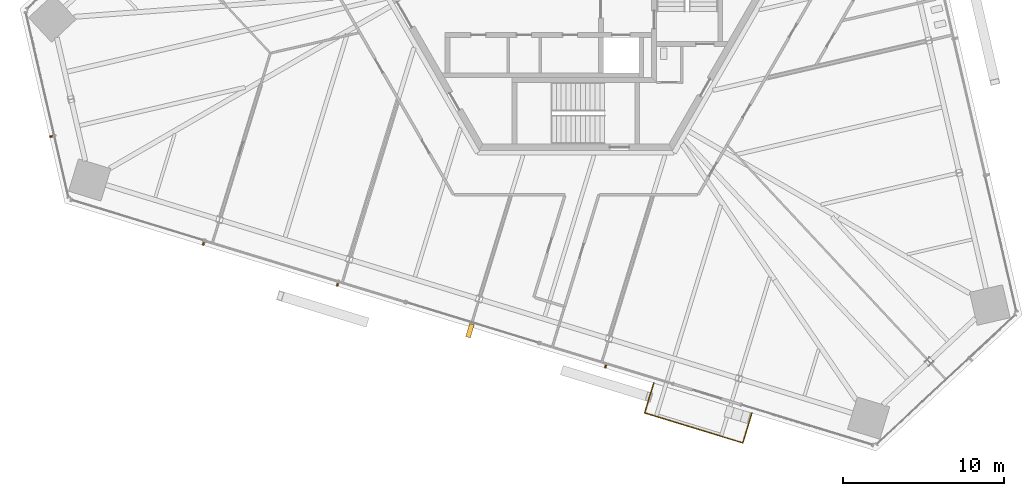
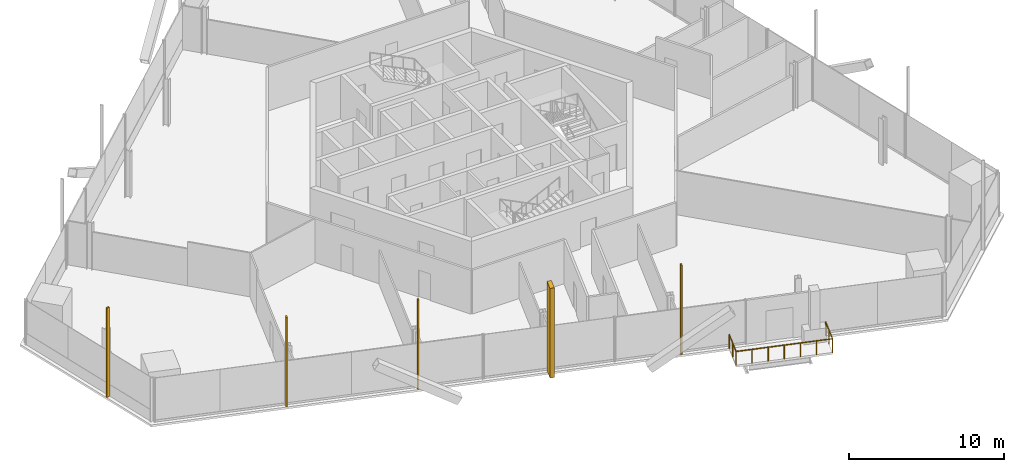
# One storey, part 15 of 21: 5 shading devices, 1 railing.
"""IFC4 building model written with IfcOpenShell, lengths in metres."""

from ifc_helpers import new_model, si_unit, direction, frame, origin, origin_2d, place, context, subcontext, project, spatial, rectangle, circle, extrude, source, transform, mapped, material, type_object, element, save


model = new_model("IFC4")

# Units and contexts
model_context = context("Model", 3, precision=1e-05, world=origin(), true_north=direction((0.0, 1.0)))
body_context = subcontext(model_context, "Body", "Model", "MODEL_VIEW")
ifc_project = project(units=[si_unit("LENGTHUNIT", "METRE"), si_unit("AREAUNIT", "SQUARE_METRE"), si_unit("VOLUMEUNIT", "CUBIC_METRE"), si_unit("PLANEANGLEUNIT", "RADIAN"), si_unit("MASSUNIT", "GRAM", prefix="KILO")], contexts=[model_context])

# Site, building, storey
site_placement = place(None, origin())
site = spatial("IfcSite", under=ifc_project, at=site_placement, CompositionType="ELEMENT")
building_placement = place(site_placement, origin())
building = spatial("IfcBuilding", under=site, at=building_placement, Name="Triune Harvest Tower", CompositionType="ELEMENT")
storey_placement = place(building_placement, frame((0.0, 0.0, 119.89990234375)))
storey = spatial("IfcBuildingStorey", under=building, at=storey_placement, Name="L30", CompositionType="ELEMENT", Elevation=119.89990234375)

# Railing
ifc_material_1 = material(Name="Glass", Category="glass")
railing_type = type_object("IfcRailingType", Name="GD-2 balcony guard 1100", PredefinedType="GUARDRAIL", material=ifc_material_1)
railing_placement = place(storey_placement, frame((4.825927734375, -24.819580078125, 0.0)))
element("IfcRailing", 1, at=railing_placement, inside=storey, type_object=railing_type, Name="Balcony guard B3-F5 L30.10", PredefinedType="GUARDRAIL", context=body_context, shape_type="SweptSolid", body=[
    extrude(circle(Radius=0.02392578125, at=origin_2d()), frame((0.0, 0.0, 1.076171875), z_axis=(-0.292388744289, -0.956299546279, 0.0), x_axis=(0.956299546279, -0.292388744289, 0.0)), (0.0, 0.0, 1.0), 1.931396484375),
    extrude(circle(Radius=0.02392578125, at=origin_2d()), frame((-0.564697265625, -1.846923828125, 1.076171875), z_axis=(0.956302429715, -0.292379313429, 0.0), x_axis=(0.292379313429, 0.956302429715, 0.0)), (0.0, 0.0, 1.0), 6.365234375),
    extrude(circle(Radius=0.02392578125, at=origin_2d()), frame((5.5224609375, -3.7080078125, 1.076171875), z_axis=(0.292273133865, 0.956334886544, 0.0), x_axis=(-0.956334886544, 0.292273133865, 0.0)), (0.0, 0.0, 1.0), 1.93115234375),
    extrude(circle(Radius=0.02099609375, at=origin_2d()), origin(), (0.0, 0.0, 1.0), 1.052001953125),
    extrude(circle(Radius=0.02099609375, at=origin_2d()), frame((-0.2822265625, -0.92333984375, 0.0)), (0.0, 0.0, 1.0), 1.052001953125),
    extrude(circle(Radius=0.02099609375, at=origin_2d()), frame((-0.564697265625, -1.846923828125, 0.0)), (0.0, 0.0, 1.0), 1.052001953125),
    extrude(circle(Radius=0.02099609375, at=origin_2d()), frame((0.44970703125, -2.1572265625, 0.0)), (0.0, 0.0, 1.0), 1.052001953125),
    extrude(circle(Radius=0.02099609375, at=origin_2d()), frame((1.46435546875, -2.46728515625, 0.0)), (0.0, 0.0, 1.0), 1.052001953125),
    extrude(circle(Radius=0.02099609375, at=origin_2d()), frame((2.47900390625, -2.77734375, 0.0)), (0.0, 0.0, 1.0), 1.052001953125),
    extrude(circle(Radius=0.02099609375, at=origin_2d()), frame((3.493408203125, -3.087646484375, 0.0)), (0.0, 0.0, 1.0), 1.052001953125),
    extrude(circle(Radius=0.02099609375, at=origin_2d()), frame((4.5078125, -3.39794921875, 0.0)), (0.0, 0.0, 1.0), 1.052001953125),
    extrude(circle(Radius=0.02099609375, at=origin_2d()), frame((5.5224609375, -3.7080078125, 0.0)), (0.0, 0.0, 1.0), 1.052001953125),
    extrude(circle(Radius=0.02099609375, at=origin_2d()), frame((5.8046875, -2.78466796875, 0.0)), (0.0, 0.0, 1.0), 1.052001953125),
    extrude(circle(Radius=0.02099609375, at=origin_2d()), frame((6.0869140625, -1.861083984375, 0.0)), (0.0, 0.0, 1.0), 1.052001953125),
])

# Shading devices
ifc_material_2 = material(Name="Aluminium bronze anodised", Category="aluminium")
shared_shape_1 = source(origin(), body_context, "Body", "SweptSolid", [
    extrude(rectangle(XDim=0.10009765625, YDim=0.199951171875, at=origin_2d()), origin(), (0.0, 0.0, 1.0), 7.0400390625),
])
for number, where, z_axis, x_axis, name in (
    (2, (-32.521484375, -9.53466796875, 0.0), (0.0, 0.0, 1.0), (0.224946950683, -0.974371012181, 0.0), "FN-1 fin B3-F4.3 L30"),
    (3, (-23.083251953125, -16.182373046875, 0.0), (0.0, 0.0, 1.0), (0.956304229664, -0.292373426164, 0.0), "FN-1 fin B3-F5.3 L30"),
    (4, (-14.776123046875, -18.72216796875, 0.0), (0.0, 0.0, 1.0), (0.956304229664, -0.292373426164, 0.0), "FN-1 fin B3-F5.5 L30"),
    (5, (1.838134765625, -23.8017578125, 0.0), (0.0, 0.0, 1.0), (0.956304229664, -0.292373426164, 0.0), "FN-1 fin B3-F5.9 L30"),
):
    element("IfcShadingDevice", number, at=place(storey_placement, frame(where, z_axis=z_axis, x_axis=x_axis)), inside=storey, material=ifc_material_2, Name=name, ObjectType="FIN", PredefinedType="USERDEFINED", context=body_context, shape_type="MappedRepresentation", body=[
        mapped(shared_shape_1, transform((0.0, 0.0, 0.0), scale=1.0)),
    ])
shared_shape_2 = source(origin(), body_context, "Body", "SweptSolid", [
    extrude(rectangle(XDim=0.300048828125, YDim=0.85009765625, at=origin_2d()), origin(), (0.0, 0.0, 1.0), 7.0400390625),
])
shading_device_placement = place(storey_placement, frame((-6.56396484375, -21.57275390625, 0.0), z_axis=(0.0, 0.0, 1.0), x_axis=(0.956304229664, -0.292373426164, 0.0)))
element("IfcShadingDevice", 6, at=shading_device_placement, inside=storey, material=ifc_material_2, Name="FN-2 fin B3-F5.7 L30", ObjectType="FIN", PredefinedType="USERDEFINED", context=body_context, shape_type="MappedRepresentation", body=[
    mapped(shared_shape_2, transform((0.0, 0.0, 0.0), scale=1.0)),
])

save(model, "model.ifc")
